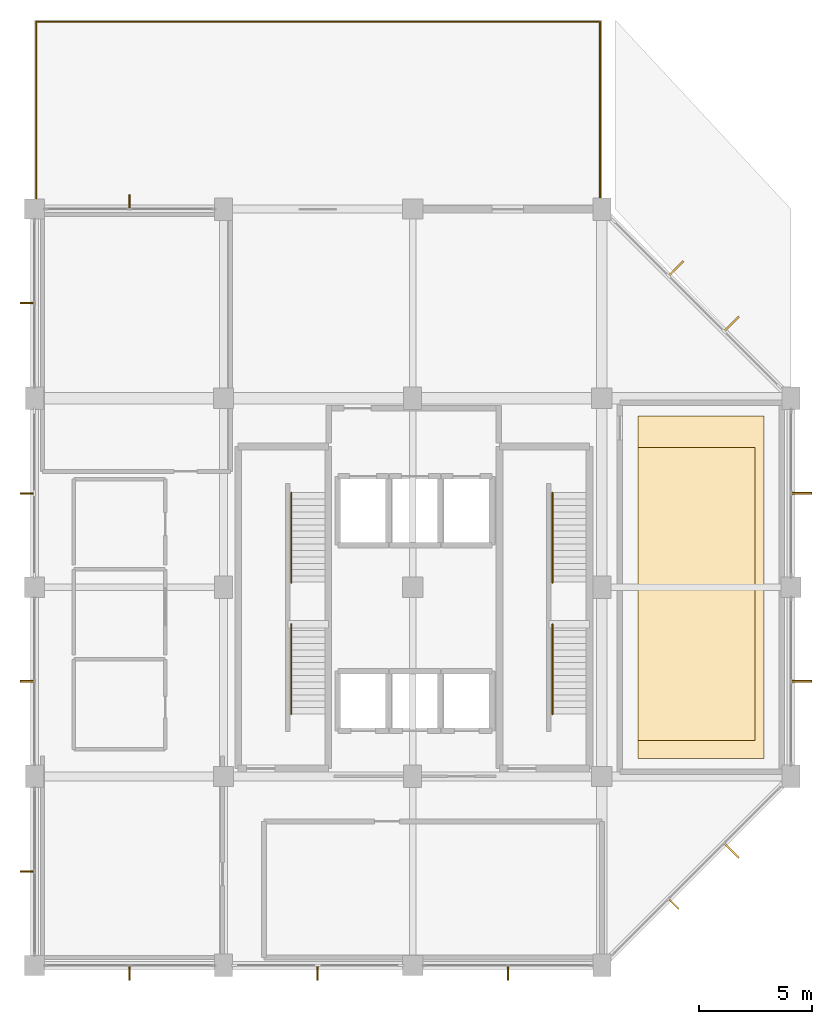
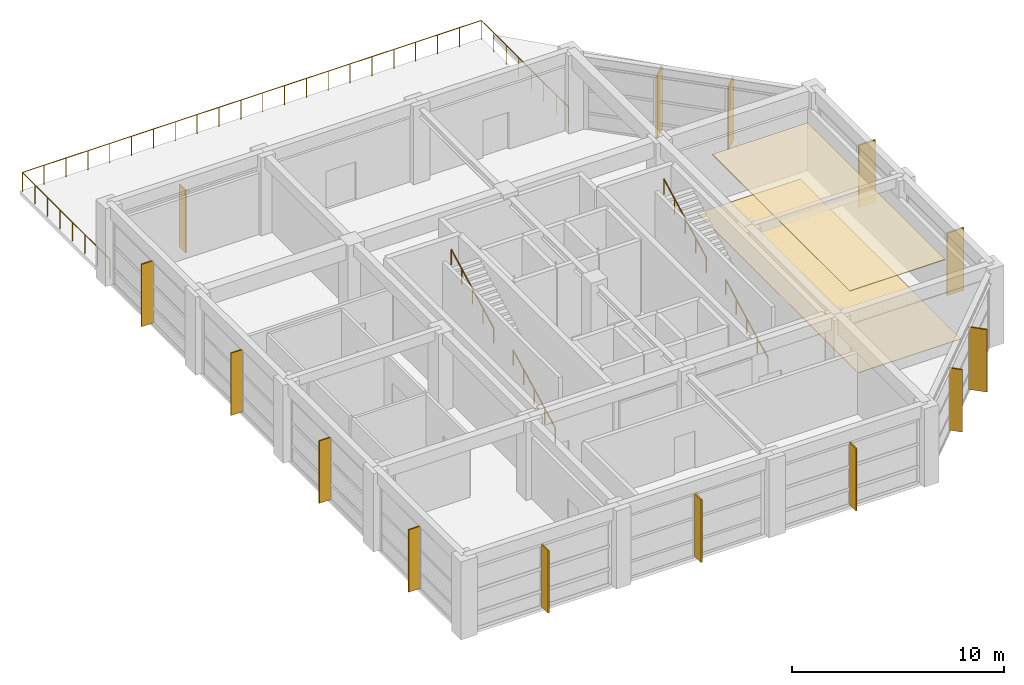
# One storey, part 10 of 10: 14 shading devices, 5 railings, 2 coverings.
"""IFC4 building model written with IfcOpenShell, lengths in metres."""

import ifcopenshell
import ifcopenshell.guid

model = None  # the IFC model being written
_history = None  # IfcOwnerHistory: only IFC2X3 demands one
_inside = {}  # id of a spatial element -> (the spatial element, [elements in it])
_under = {}  # id of a project, library or spatial element -> (it, [spatial elements below it])
_declared = {}  # id of a project -> (the project, [libraries it declares])
_typed = {}  # id of a type object -> (the type object, [elements of that type])
_made_of = {}  # id of a material, layer set ... -> (it, [elements and type objects made of it])


def new_model(schema):
    """Start an empty IFC model of exactly this schema.

    Asked for "IFC4X3", IfcOpenShell would pick the latest addendum, in which some entities
    have other attributes; the version numbers below select the first issue.
    IFC2X3 requires an IfcOwnerHistory on every rooted entity: one is made here for all.
    """
    global model, _history
    if schema == "IFC4X3":
        model = ifcopenshell.file(schema_version=(4, 3, 0, 0))
    else:
        model = ifcopenshell.file(schema=schema)
    _inside.clear()
    _under.clear()
    _declared.clear()
    _typed.clear()
    _made_of.clear()
    _history = None
    if model.schema == "IFC2X3":
        org = make("IfcOrganization", Name="unknown")
        user = make(
            "IfcPersonAndOrganization",
            ThePerson=make("IfcPerson", FamilyName="unknown"),
            TheOrganization=org,
        )
        app = make(
            "IfcApplication",
            ApplicationDeveloper=org,
            Version="unknown",
            ApplicationFullName="unknown",
            ApplicationIdentifier="unknown",
        )
        _history = make(
            "IfcOwnerHistory",
            OwningUser=user,
            OwningApplication=app,
            ChangeAction="ADDED",
            CreationDate=0,
        )
    return model


def make(cls, **values):
    """One entity of the class cls with the attributes given. An attribute that is None is left unset."""
    return model.create_entity(
        cls, **{name: value for name, value in values.items() if value is not None}
    )


def rooted(cls, **values):
    """An entity with a GlobalId (a new one), such as an element, a storey or a relation."""
    return make(cls, GlobalId=ifcopenshell.guid.new(), OwnerHistory=_history, **values)


def si_unit(unit_type, name, prefix=None):
    """IfcSIUnit, for example si_unit("LENGTHUNIT", "METRE", prefix="MILLI")."""
    return make("IfcSIUnit", UnitType=unit_type, Prefix=prefix, Name=name)


def assignment(units):
    """IfcUnitAssignment: the units of a project."""
    return None if units is None else make("IfcUnitAssignment", Units=units)


def point(xyz):
    """IfcCartesianPoint."""
    return None if xyz is None else make("IfcCartesianPoint", Coordinates=xyz)


def direction(xyz):
    """IfcDirection."""
    return None if xyz is None else make("IfcDirection", DirectionRatios=xyz)


def frame(location, z_axis=None, x_axis=None):
    """IfcAxis2Placement3D, a coordinate frame: its origin and axes. An axis left out is left unset."""
    return make(
        "IfcAxis2Placement3D",
        Location=point(location),
        Axis=direction(z_axis),
        RefDirection=direction(x_axis),
    )


def frame_2d(location, x_axis=None):
    """IfcAxis2Placement2D, a coordinate frame in the plane: its origin and x axis."""
    return make(
        "IfcAxis2Placement2D", Location=point(location), RefDirection=direction(x_axis)
    )


def origin():
    """The frame at (0, 0, 0) with its axes left unset."""
    return frame((0.0, 0.0, 0.0))


def origin_2d():
    """The frame at (0, 0) in the plane with its x axis left unset."""
    return frame_2d((0.0, 0.0))


def place(relative_to, where):
    """IfcLocalPlacement: puts the frame where relative to a parent placement (None: the world)."""
    return make(
        "IfcLocalPlacement", PlacementRelTo=relative_to, RelativePlacement=where
    )


def context(
    kind, dimensions, precision=None, world=None, true_north=None, identifier=None
):
    """IfcGeometricRepresentationContext, for example the 3D "Model" context."""
    return make(
        "IfcGeometricRepresentationContext",
        ContextIdentifier=identifier,
        ContextType=kind,
        CoordinateSpaceDimension=dimensions,
        Precision=precision,
        WorldCoordinateSystem=world,
        TrueNorth=true_north,
    )


def subcontext(parent, identifier, kind, view, scale=None):
    """IfcGeometricRepresentationSubContext, for example "Body" below "Model"."""
    return make(
        "IfcGeometricRepresentationSubContext",
        ContextIdentifier=identifier,
        ContextType=kind,
        ParentContext=parent,
        TargetScale=scale,
        TargetView=view,
    )


def project(units=None, contexts=None):
    """IfcProject with its units and contexts."""
    return rooted(
        "IfcProject",
        Name="project",
        RepresentationContexts=contexts,
        UnitsInContext=assignment(units),
    )


def spatial(cls, under=None, at=None, **own):
    """A site, building, storey or space (cls), placed at a placement, below another one or the project."""
    s = rooted(cls, ObjectPlacement=at, **own)
    if under is not None:
        _under.setdefault(under.id(), (under, []))[1].append(s)
    return s


def polyline(points):
    """IfcPolyline through the points."""
    return make("IfcPolyline", Points=[point(p) for p in points])


def profile(cls, at=None, kind="AREA", **sizes):
    """A parametric profile (cls). Its sizes go by their IFC names, for example OverallWidth=200.0."""
    return make(cls, ProfileType=kind, Position=at, **sizes)


def rectangle(**sizes):
    """IfcRectangleProfileDef."""
    return profile("IfcRectangleProfileDef", **sizes)


def circle(**sizes):
    """IfcCircleProfileDef."""
    return profile("IfcCircleProfileDef", **sizes)


def outline(outer, holes=None, kind="AREA"):
    """IfcArbitraryClosedProfileDef: a profile drawn as a closed curve; with holes, ...WithVoids."""
    if holes is None:
        return make("IfcArbitraryClosedProfileDef", ProfileType=kind, OuterCurve=outer)
    return make(
        "IfcArbitraryProfileDefWithVoids",
        ProfileType=kind,
        OuterCurve=outer,
        InnerCurves=holes,
    )


def extrude(swept, where, along, depth):
    """IfcExtrudedAreaSolid: the profile swept, set in the frame where, extruded along a direction by depth."""
    return make(
        "IfcExtrudedAreaSolid",
        SweptArea=swept,
        Position=where,
        ExtrudedDirection=direction(along),
        Depth=depth,
    )


def shape(context_of_items, identifier, shape_type, items):
    """IfcShapeRepresentation: the items that make up one representation, for example the "Body"."""
    return make(
        "IfcShapeRepresentation",
        ContextOfItems=context_of_items,
        RepresentationIdentifier=identifier,
        RepresentationType=shape_type,
        Items=items,
    )


def material(Name=None, Category=None):
    """IfcMaterial."""
    return make("IfcMaterial", Name=Name, Category=Category)


def layer(
    of_material, thickness, ventilated=None, Name=None, Category=None, Priority=None
):
    """IfcMaterialLayer: one layer of a wall or slab, of a material (None: an air gap)."""
    return make(
        "IfcMaterialLayer",
        Material=of_material,
        LayerThickness=thickness,
        IsVentilated=ventilated,
        Name=Name,
        Category=Category,
        Priority=Priority,
    )


def layer_set(layers, Name=None):
    """IfcMaterialLayerSet."""
    return make("IfcMaterialLayerSet", MaterialLayers=layers, LayerSetName=Name)


def made_of(thing, what):
    """Note that an element or type object is made of a material, layer set ...; save() writes the relation."""
    if what is not None:
        _made_of.setdefault(what.id(), (what, []))[1].append(thing)
    return thing


def type_object(cls, material=None, **own):
    """A type object (cls), such as IfcWallType, which elements share."""
    return made_of(rooted(cls, **own), material)


def element(
    cls,
    number,
    at=None,
    inside=None,
    cuts=None,
    type_object=None,
    material=None,
    context=None,
    identifier="Body",
    shape_type=None,
    held_by="IfcProductDefinitionShape",
    body=None,
    shapes=None,
    **own,
):
    """One element of the class cls, such as IfcWall. Its Tag is "e" and its number.

    at: its placement. inside: the storey or other place that contains it. cuts: it is an
    opening in that element (IfcRelVoidsElement). A single representation is given by context,
    identifier, shape_type and body (its items); several are given by shapes. held_by: the class
    of the entity that holds the representations. save() writes the other relations.
    """
    e = rooted(cls, Tag="e%d" % number, ObjectPlacement=at, **own)
    if body is not None:
        shapes = [shape(context, identifier, shape_type, body)]
    if shapes is not None:
        e.Representation = make(held_by, Representations=shapes)
    if inside is not None:
        _inside.setdefault(inside.id(), (inside, []))[1].append(e)
    if cuts is not None:
        rooted(
            "IfcRelVoidsElement", RelatingBuildingElement=cuts, RelatedOpeningElement=e
        )
    if type_object is not None:
        _typed.setdefault(type_object.id(), (type_object, []))[1].append(e)
    return made_of(e, material)


def aggregate(whole, parts):
    """IfcRelAggregates: a whole, such as a stair, and the parts it consists of."""
    return rooted("IfcRelAggregates", RelatingObject=whole, RelatedObjects=parts)


def save(model, path):
    """Write the relations noted so far, then the file.

    IfcRelAggregates (storeys below a building ...), IfcRelContainedInSpatialStructure (elements
    in a storey), IfcRelDefinesByType, IfcRelAssociatesMaterial and IfcRelDeclares: one each for
    every whole, place, type object, material and project.
    """
    for whole, parts in _under.values():
        aggregate(whole, parts)
    for where, things in _inside.values():
        rooted(
            "IfcRelContainedInSpatialStructure",
            RelatedElements=things,
            RelatingStructure=where,
        )
    for kind, things in _typed.values():
        rooted("IfcRelDefinesByType", RelatedObjects=things, RelatingType=kind)
    for what, things in _made_of.values():
        rooted("IfcRelAssociatesMaterial", RelatedObjects=things, RelatingMaterial=what)
    for by, libraries in _declared.values():
        rooted("IfcRelDeclares", RelatingContext=by, RelatedDefinitions=libraries)
    model.write(path)


model = new_model("IFC4")

# Units and contexts
model_context = context("Model", 3, precision=1e-05, world=origin(), true_north=direction((0.0, 1.0)))
body_context = subcontext(model_context, "Body", "Model", "MODEL_VIEW")
ifc_project = project(units=[si_unit("LENGTHUNIT", "METRE"), si_unit("AREAUNIT", "SQUARE_METRE"), si_unit("VOLUMEUNIT", "CUBIC_METRE"), si_unit("PLANEANGLEUNIT", "RADIAN"), si_unit("MASSUNIT", "GRAM", prefix="KILO")], contexts=[model_context])

# Site, building, storey
site_placement = place(None, origin())
site = spatial("IfcSite", under=ifc_project, at=site_placement, CompositionType="ELEMENT")
building_placement = place(site_placement, origin())
building = spatial("IfcBuilding", under=site, at=building_placement, Name="Xuanlan Plaza Opera House", CompositionType="ELEMENT")
storey_placement = place(building_placement, frame((0.0, 0.0, 69.89990234375)))
storey = spatial("IfcBuildingStorey", under=building, at=storey_placement, Name="L16", CompositionType="ELEMENT", Elevation=69.89990234375)

# Railing
ifc_material_1 = material(Name="Stainless Steel S30408", Category="steel")
railing_type_1 = type_object("IfcRailingType", Name="ENV-RL-GR02", PredefinedType="GUARDRAIL", material=ifc_material_1)
railing_placement = place(storey_placement, frame((126.080078125, 75.64990234375, 0.0)))
element("IfcRailing", 1, at=railing_placement, inside=storey, type_object=railing_type_1, Name="Terrace Perimeter Guardrail TERR-L16", PredefinedType="GUARDRAIL", context=body_context, shape_type="SweptSolid", body=[
    extrude(circle(Radius=0.02392578125, at=origin_2d()), frame((0.0, 0.0, 1.09619140625), z_axis=(0.0, 1.0, 0.0), x_axis=(-1.0, 0.0, 0.0)), (0.0, 0.0, 1.0), 8.27001953125),
    extrude(circle(Radius=0.02392578125, at=origin_2d()), frame((0.0, 8.27001953125, 1.09619140625), z_axis=(1.0, 0.0, 0.0), x_axis=(0.0, 1.0, 0.0)), (0.0, 0.0, 1.0), 25.0400390625),
    extrude(circle(Radius=0.02392578125, at=origin_2d()), frame((25.0400390625, 8.27001953125, 1.09619140625), z_axis=(0.0, -1.0, 0.0), x_axis=(1.0, 0.0, 0.0)), (0.0, 0.0, 1.0), 8.27001953125),
    extrude(circle(Radius=0.02099609375, at=origin_2d()), origin(), (0.0, 0.0, 1.0), 1.072021484375),
    extrude(circle(Radius=0.02099609375, at=origin_2d()), frame((0.0, 1.181396484375, 0.0)), (0.0, 0.0, 1.0), 1.072021484375),
    extrude(circle(Radius=0.02099609375, at=origin_2d()), frame((0.0, 2.36279296875, 0.0)), (0.0, 0.0, 1.0), 1.072021484375),
    extrude(circle(Radius=0.02099609375, at=origin_2d()), frame((0.0, 3.544189453125, 0.0)), (0.0, 0.0, 1.0), 1.072021484375),
    extrude(circle(Radius=0.02099609375, at=origin_2d()), frame((0.0, 4.725830078125, 0.0)), (0.0, 0.0, 1.0), 1.072021484375),
    extrude(circle(Radius=0.02099609375, at=origin_2d()), frame((0.0, 5.9072265625, 0.0)), (0.0, 0.0, 1.0), 1.072021484375),
    extrude(circle(Radius=0.02099609375, at=origin_2d()), frame((0.0, 7.088623046875, 0.0)), (0.0, 0.0, 1.0), 1.072021484375),
    extrude(circle(Radius=0.02099609375, at=origin_2d()), frame((0.0, 8.27001953125, 0.0)), (0.0, 0.0, 1.0), 1.072021484375),
    extrude(circle(Radius=0.02099609375, at=origin_2d()), frame((1.1923828125, 8.27001953125, 0.0)), (0.0, 0.0, 1.0), 1.072021484375),
    extrude(circle(Radius=0.02099609375, at=origin_2d()), frame((2.384765625, 8.27001953125, 0.0)), (0.0, 0.0, 1.0), 1.072021484375),
    extrude(circle(Radius=0.02099609375, at=origin_2d()), frame((3.5771484375, 8.27001953125, 0.0)), (0.0, 0.0, 1.0), 1.072021484375),
    extrude(circle(Radius=0.02099609375, at=origin_2d()), frame((4.76953125, 8.27001953125, 0.0)), (0.0, 0.0, 1.0), 1.072021484375),
    extrude(circle(Radius=0.02099609375, at=origin_2d()), frame((5.9619140625, 8.27001953125, 0.0)), (0.0, 0.0, 1.0), 1.072021484375),
    extrude(circle(Radius=0.02099609375, at=origin_2d()), frame((7.154296875, 8.27001953125, 0.0)), (0.0, 0.0, 1.0), 1.072021484375),
    extrude(circle(Radius=0.02099609375, at=origin_2d()), frame((8.3466796875, 8.27001953125, 0.0)), (0.0, 0.0, 1.0), 1.072021484375),
    extrude(circle(Radius=0.02099609375, at=origin_2d()), frame((9.5390625, 8.27001953125, 0.0)), (0.0, 0.0, 1.0), 1.072021484375),
    extrude(circle(Radius=0.02099609375, at=origin_2d()), frame((10.7314453125, 8.27001953125, 0.0)), (0.0, 0.0, 1.0), 1.072021484375),
    extrude(circle(Radius=0.02099609375, at=origin_2d()), frame((11.923828125, 8.27001953125, 0.0)), (0.0, 0.0, 1.0), 1.072021484375),
    extrude(circle(Radius=0.02099609375, at=origin_2d()), frame((13.1162109375, 8.27001953125, 0.0)), (0.0, 0.0, 1.0), 1.072021484375),
    extrude(circle(Radius=0.02099609375, at=origin_2d()), frame((14.30859375, 8.27001953125, 0.0)), (0.0, 0.0, 1.0), 1.072021484375),
    extrude(circle(Radius=0.02099609375, at=origin_2d()), frame((15.5009765625, 8.27001953125, 0.0)), (0.0, 0.0, 1.0), 1.072021484375),
    extrude(circle(Radius=0.02099609375, at=origin_2d()), frame((16.693359375, 8.27001953125, 0.0)), (0.0, 0.0, 1.0), 1.072021484375),
    extrude(circle(Radius=0.02099609375, at=origin_2d()), frame((17.8857421875, 8.27001953125, 0.0)), (0.0, 0.0, 1.0), 1.072021484375),
    extrude(circle(Radius=0.02099609375, at=origin_2d()), frame((19.078125, 8.27001953125, 0.0)), (0.0, 0.0, 1.0), 1.072021484375),
    extrude(circle(Radius=0.02099609375, at=origin_2d()), frame((20.2705078125, 8.27001953125, 0.0)), (0.0, 0.0, 1.0), 1.072021484375),
    extrude(circle(Radius=0.02099609375, at=origin_2d()), frame((21.462890625, 8.27001953125, 0.0)), (0.0, 0.0, 1.0), 1.072021484375),
    extrude(circle(Radius=0.02099609375, at=origin_2d()), frame((22.6552734375, 8.27001953125, 0.0)), (0.0, 0.0, 1.0), 1.072021484375),
    extrude(circle(Radius=0.02099609375, at=origin_2d()), frame((23.84765625, 8.27001953125, 0.0)), (0.0, 0.0, 1.0), 1.072021484375),
    extrude(circle(Radius=0.02099609375, at=origin_2d()), frame((25.0400390625, 8.27001953125, 0.0)), (0.0, 0.0, 1.0), 1.072021484375),
    extrude(circle(Radius=0.02099609375, at=origin_2d()), frame((25.0400390625, 7.088623046875, 0.0)), (0.0, 0.0, 1.0), 1.072021484375),
    extrude(circle(Radius=0.02099609375, at=origin_2d()), frame((25.0400390625, 5.9072265625, 0.0)), (0.0, 0.0, 1.0), 1.072021484375),
    extrude(circle(Radius=0.02099609375, at=origin_2d()), frame((25.0400390625, 4.725830078125, 0.0)), (0.0, 0.0, 1.0), 1.072021484375),
    extrude(circle(Radius=0.02099609375, at=origin_2d()), frame((25.0400390625, 3.544189453125, 0.0)), (0.0, 0.0, 1.0), 1.072021484375),
    extrude(circle(Radius=0.02099609375, at=origin_2d()), frame((25.0400390625, 2.36279296875, 0.0)), (0.0, 0.0, 1.0), 1.072021484375),
    extrude(circle(Radius=0.02099609375, at=origin_2d()), frame((25.0400390625, 1.181396484375, 0.0)), (0.0, 0.0, 1.0), 1.072021484375),
    extrude(circle(Radius=0.02099609375, at=origin_2d()), frame((25.0400390625, 0.0, 0.0)), (0.0, 0.0, 1.0), 1.072021484375),
])

# Shading devices
ifc_material_2 = material(Name="Anodised Aluminium 6063-T6", Category="aluminium")
shading_device_type_1 = type_object("IfcShadingDeviceType", Name="ENV-SHD-BRS01", PredefinedType="JALOUSIE", material=ifc_material_2)
for number, where, z_axis, x_axis, name in (
    (2, (130.22509765625, 41.675048828125, 0.0400390625), (0.0, 0.0, 1.0), (0.0, -1.0, 0.0), "Parametric Sunshade Fin L16-0475"),
    (3, (138.574951171875, 41.675048828125, 0.0400390625), (0.0, 0.0, 1.0), (0.0, -1.0, 0.0), "Parametric Sunshade Fin L16-0476"),
    (4, (147.02490234375, 41.675048828125, 0.0400390625), (0.0, 0.0, 1.0), (0.0, -1.0, 0.0), "Parametric Sunshade Fin L16-0477"),
    (5, (154.39599609375, 44.736572265625, 0.0400390625), (0.0, 0.0, 1.0), (0.707106781187, -0.707106781187, 0.0), "Parametric Sunshade Fin L16-0478"),
    (6, (130.22509765625, 75.925048828125, 0.0400390625), (0.0, 0.0, 1.0), (0.0, 1.0, 0.0), "Parametric Sunshade Fin L16-0484"),
    (7, (125.675048828125, 71.425048828125, 0.0400390625), (0.0, 0.0, 1.0), (-1.0, 0.0, 0.0), "Parametric Sunshade Fin L16-0485"),
    (8, (125.675048828125, 62.97509765625, 0.0400390625), (0.0, 0.0, 1.0), (-1.0, 0.0, 0.0), "Parametric Sunshade Fin L16-0486"),
    (9, (125.675048828125, 54.625, 0.0400390625), (0.0, 0.0, 1.0), (-1.0, 0.0, 0.0), "Parametric Sunshade Fin L16-0487"),
    (10, (125.675048828125, 46.175048828125, 0.0400390625), (0.0, 0.0, 1.0), (-1.0, 0.0, 0.0), "Parametric Sunshade Fin L16-0488"),
):
    element("IfcShadingDevice", number, at=place(storey_placement, frame(where, z_axis=z_axis, x_axis=x_axis)), inside=storey, type_object=shading_device_type_1, Name=name, PredefinedType="JALOUSIE", context=body_context, shape_type="SweptSolid", body=[
        extrude(rectangle(XDim=0.639892578125, YDim=0.070068359375, at=origin_2d()), origin(), (0.0, 0.0, 1.0), 3.60009765625),
    ])
shading_device_type_2 = type_object("IfcShadingDeviceType", Name="ENV-SHD-BRS02", PredefinedType="JALOUSIE", material=ifc_material_2)
for number, where, z_axis, x_axis, name in (
    (11, (156.96240234375, 47.10498046875, 0.0400390625), (0.0, 0.0, 1.0), (0.707106781187, -0.707106781187, 0.0), "Parametric Sunshade Fin L16-0479"),
    (12, (160.06494140625, 54.625, 0.0400390625), (0.0, 0.0, 1.0), (1.0, 0.0, 0.0), "Parametric Sunshade Fin L16-0480"),
    (13, (160.06494140625, 62.97509765625, 0.0400390625), (0.0, 0.0, 1.0), (1.0, 0.0, 0.0), "Parametric Sunshade Fin L16-0481"),
    (14, (156.96240234375, 70.4951171875, 0.0400390625), (0.0, 0.0, 1.0), (0.707106781187, 0.707106781187, 0.0), "Parametric Sunshade Fin L16-0482"),
    (15, (154.4951171875, 72.96240234375, 0.0400390625), (0.0, 0.0, 1.0), (0.707106781187, 0.707106781187, 0.0), "Parametric Sunshade Fin L16-0483"),
):
    element("IfcShadingDevice", number, at=place(storey_placement, frame(where, z_axis=z_axis, x_axis=x_axis)), inside=storey, type_object=shading_device_type_2, Name=name, PredefinedType="JALOUSIE", context=body_context, shape_type="SweptSolid", body=[
        extrude(rectangle(XDim=0.919921875, YDim=0.080078125, at=origin_2d()), origin(), (0.0, 0.0, 1.0), 3.60009765625),
    ])

# Coverings
ifc_material_3 = material(Name="Gypsum Acoustic Board", Category="gypsum")
ifc_layer_1 = layer(ifc_material_3, 0.044921875)
ifc_layer_set_1 = layer_set([ifc_layer_1], Name="Gypsum Acoustic Board")
covering_type_1 = type_object("IfcCoveringType", Name="INT-COV-CLG-01", PredefinedType="CEILING", material=ifc_layer_set_1)
covering_1_placement = place(storey_placement, frame((0.0, 0.0, 4.22509765625)))
element("IfcCovering", 16, at=covering_1_placement, inside=storey, type_object=covering_type_1, Name="Acoustic Baffle Ceiling L16", PredefinedType="CEILING", context=body_context, shape_type="SweptSolid", body=[
    extrude(outline(polyline([(152.800048828125, 52.0), (158.0, 52.0), (158.0, 65.0), (152.800048828125, 65.0), (152.800048828125, 52.0)])), origin(), (0.0, 0.0, 1.0), 0.044921875),
])
ifc_material_4 = material(Name="Walnut Hardwood Timber", Category="wood")
ifc_layer_2 = layer(ifc_material_4, 0.02490234375)
ifc_layer_set_2 = layer_set([ifc_layer_2], Name="Walnut Hardwood Timber")
covering_type_2 = type_object("IfcCoveringType", Name="INT-COV-FLR-02", PredefinedType="FLOORING", material=ifc_layer_set_2)
covering_2_placement = place(storey_placement, origin())
element("IfcCovering", 17, at=covering_2_placement, inside=storey, type_object=covering_type_2, Name="Acoustic Floor Finish FLR-SAL-L16", PredefinedType="FLOORING", context=body_context, shape_type="SweptSolid", body=[
    extrude(outline(polyline([(152.800048828125, 51.199951171875), (158.39990234375, 51.199951171875), (158.39990234375, 66.39990234375), (152.800048828125, 66.39990234375), (152.800048828125, 51.199951171875)])), origin(), (0.0, 0.0, 1.0), 0.025146484375),
])

# Railings
railing_type_2 = type_object("IfcRailingType", Name="INT-RL-HR01", PredefinedType="HANDRAIL", material=ifc_material_1)
for number, where, name in (
    (18, (137.409912109375, 53.169921875, 0.150146484375), "Stair Handrail ST-T1 L16 Flight 1"),
    (19, (137.409912109375, 59.010009765625, 2.400146484375), "Stair Handrail ST-T1 L16 Flight 2"),
    (20, (149.010009765625, 53.169921875, 0.150146484375), "Stair Handrail ST-T2 L16 Flight 1"),
    (21, (149.010009765625, 59.010009765625, 2.400146484375), "Stair Handrail ST-T2 L16 Flight 2"),
):
    element("IfcRailing", number, at=place(storey_placement, frame(where)), inside=storey, type_object=railing_type_2, Name=name, PredefinedType="HANDRAIL", context=body_context, shape_type="SweptSolid", body=[
        extrude(circle(Radius=0.02392578125, at=origin_2d()), frame((0.0, 0.0, 0.8759765625), z_axis=(0.0, 0.884931142248, 0.465721884261), x_axis=(-1.0, 0.0, 0.0)), (0.0, 0.0, 1.0), 4.5087890625),
        extrude(circle(Radius=0.02099609375, at=origin_2d()), origin(), (0.0, 0.0, 1.0), 0.851806640625),
        extrude(circle(Radius=0.02099609375, at=origin_2d()), frame((0.0, 0.99755859375, 0.52490234375)), (0.0, 0.0, 1.0), 0.851806640625),
        extrude(circle(Radius=0.02099609375, at=origin_2d()), frame((0.0, 1.9951171875, 1.0498046875)), (0.0, 0.0, 1.0), 0.851806640625),
        extrude(circle(Radius=0.02099609375, at=origin_2d()), frame((0.0, 2.992431640625, 1.574951171875)), (0.0, 0.0, 1.0), 0.851806640625),
        extrude(circle(Radius=0.02099609375, at=origin_2d()), frame((0.0, 3.989990234375, 2.099853515625)), (0.0, 0.0, 1.0), 0.851806640625),
    ])

save(model, "model.ifc")
